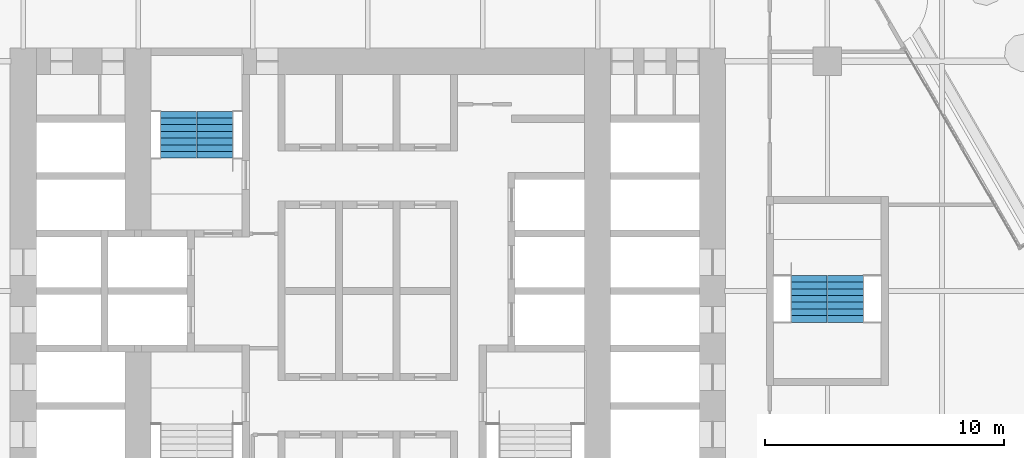
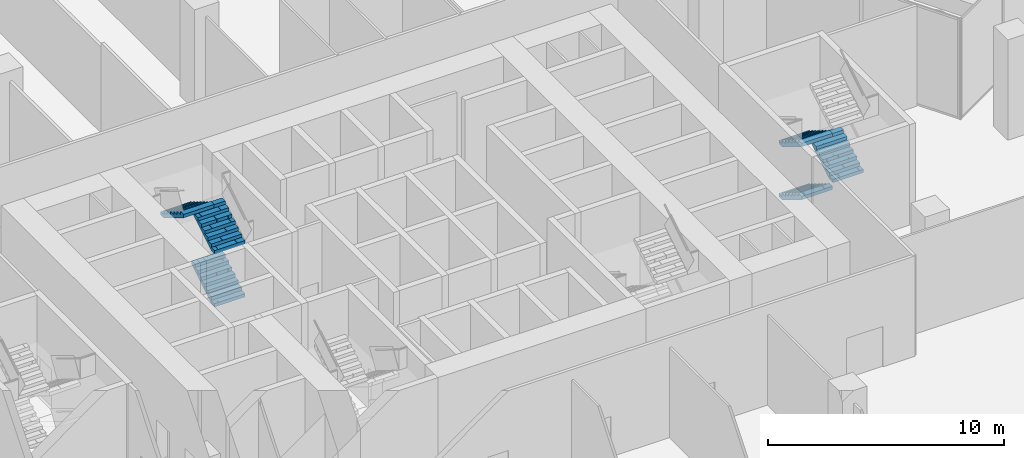
# One storey, part 28 of 32: 6 stair flights, 2 elements without a shape of their own.
"""IFC4 building model written with IfcOpenShell, lengths in metres."""

from ifc_helpers import new_model, si_unit, direction, frame, origin, place, context, subcontext, project, spatial, polyline, outline, extrude, material, type_object, element, aggregate, save


model = new_model("IFC4")

# Units and contexts
model_context = context("Model", 3, precision=1e-05, world=origin(), true_north=direction((0.0, 1.0)))
body_context = subcontext(model_context, "Body", "Model", "MODEL_VIEW")
ifc_project = project(units=[si_unit("LENGTHUNIT", "METRE"), si_unit("AREAUNIT", "SQUARE_METRE"), si_unit("VOLUMEUNIT", "CUBIC_METRE"), si_unit("PLANEANGLEUNIT", "RADIAN"), si_unit("MASSUNIT", "GRAM", prefix="KILO")], contexts=[model_context])

# Site, building, storey
site_placement = place(None, origin())
site = spatial("IfcSite", under=ifc_project, at=site_placement, CompositionType="ELEMENT")
building_placement = place(site_placement, origin())
building = spatial("IfcBuilding", under=site, at=building_placement, Name="Kolab Exchange Tower", CompositionType="ELEMENT")
storey_placement = place(building_placement, frame((0.0, 0.0, 60.89990234375)))
storey = spatial("IfcBuildingStorey", under=building, at=storey_placement, Name="L11", CompositionType="ELEMENT", Elevation=60.89990234375)

# Stair, stair flights
ifc_material = material(Name="Concrete C50/60", Category="concrete")
stair_type_1 = type_object("IfcStairType", Name="STAIR ST1 RISER 171.9", PredefinedType="DOUBLE_RETURN_STAIR", material=ifc_material)
stair_1_placement = place(storey_placement, origin())
stair_1 = element("IfcStair", 1, at=stair_1_placement, inside=storey, type_object=stair_type_1, Name="Stair 1", PredefinedType="DOUBLE_RETURN_STAIR")
stair_flight_type = type_object("IfcStairFlightType", Name="STAIR FLIGHT 1500 RISER 171.9", PredefinedType="STRAIGHT", material=ifc_material)
stair_flight_1_placement = place(storey_placement, frame((-6.389892578125, 5.550048828125, 0.0), z_axis=(0.0, 0.0, 1.0), x_axis=(0.0, 1.0, 0.0)))
stair_flight_1 = element("IfcStairFlight", 2, at=stair_flight_1_placement, type_object=stair_flight_type, Name="ST1 flight 1", NumberOfRisers=8, NumberOfTreads=7, PredefinedType="STRAIGHT", RiserHeight=0.171875, TreadLength=0.28, context=body_context, shape_type="SweptSolid", body=[
    extrude(outline(polyline([(0.0, 0.0), (0.0, 0.171875), (0.280029296875, 0.171875), (0.280029296875, 0.34375), (0.56005859375, 0.34375), (0.56005859375, 0.515625), (0.840087890625, 0.515625), (0.840087890625, 0.6875), (1.1201171875, 0.6875), (1.1201171875, 0.859375), (1.39990234375, 0.859375), (1.39990234375, 1.03125), (1.679931640625, 1.03125), (1.679931640625, 1.203125), (1.9599609375, 1.203125), (1.9599609375, 1.375), (1.9599609375, 1.02734375), (0.28662109375, 0.0), (0.0, 0.0)])), frame((0.0, 0.75, 0.0), z_axis=(0.0, -1.0, 0.0), x_axis=(1.0, 0.0, 0.0)), (0.0, 0.0, 1.0), 0.185791015625),
    extrude(outline(polyline([(0.0, 0.0), (0.0, 0.171875), (0.280029296875, 0.171875), (0.280029296875, 0.34375), (0.56005859375, 0.34375), (0.56005859375, 0.515625), (0.840087890625, 0.515625), (0.840087890625, 0.6875), (1.1201171875, 0.6875), (1.1201171875, 0.859375), (1.39990234375, 0.859375), (1.39990234375, 1.03125), (1.679931640625, 1.03125), (1.679931640625, 1.203125), (1.9599609375, 1.203125), (1.9599609375, 1.375), (1.9599609375, 1.02734375), (0.28662109375, 0.0), (0.0, 0.0)])), frame((0.0, 0.562255859375, 0.0), z_axis=(0.0, -1.0, 0.0), x_axis=(1.0, 0.0, 0.0)), (0.0, 0.0, 1.0), 0.185791015625),
    extrude(outline(polyline([(0.0, 0.0), (0.0, 0.171875), (0.280029296875, 0.171875), (0.280029296875, 0.34375), (0.56005859375, 0.34375), (0.56005859375, 0.515625), (0.840087890625, 0.515625), (0.840087890625, 0.6875), (1.1201171875, 0.6875), (1.1201171875, 0.859375), (1.39990234375, 0.859375), (1.39990234375, 1.03125), (1.679931640625, 1.03125), (1.679931640625, 1.203125), (1.9599609375, 1.203125), (1.9599609375, 1.375), (1.9599609375, 1.02734375), (0.28662109375, 0.0), (0.0, 0.0)])), frame((0.0, 0.37451171875, 0.0), z_axis=(0.0, -1.0, 0.0), x_axis=(1.0, 0.0, 0.0)), (0.0, 0.0, 1.0), 0.185791015625),
    extrude(outline(polyline([(0.0, 0.0), (0.0, 0.171875), (0.280029296875, 0.171875), (0.280029296875, 0.34375), (0.56005859375, 0.34375), (0.56005859375, 0.515625), (0.840087890625, 0.515625), (0.840087890625, 0.6875), (1.1201171875, 0.6875), (1.1201171875, 0.859375), (1.39990234375, 0.859375), (1.39990234375, 1.03125), (1.679931640625, 1.03125), (1.679931640625, 1.203125), (1.9599609375, 1.203125), (1.9599609375, 1.375), (1.9599609375, 1.02734375), (0.28662109375, 0.0), (0.0, 0.0)])), frame((0.0, 0.186767578125, 0.0), z_axis=(0.0, -1.0, 0.0), x_axis=(1.0, 0.0, 0.0)), (0.0, 0.0, 1.0), 0.185791015625),
    extrude(outline(polyline([(0.0, 0.0), (0.0, 0.171875), (0.280029296875, 0.171875), (0.280029296875, 0.34375), (0.56005859375, 0.34375), (0.56005859375, 0.515625), (0.840087890625, 0.515625), (0.840087890625, 0.6875), (1.1201171875, 0.6875), (1.1201171875, 0.859375), (1.39990234375, 0.859375), (1.39990234375, 1.03125), (1.679931640625, 1.03125), (1.679931640625, 1.203125), (1.9599609375, 1.203125), (1.9599609375, 1.375), (1.9599609375, 1.02734375), (0.28662109375, 0.0), (0.0, 0.0)])), frame((0.0, -0.0009765625, 0.0), z_axis=(0.0, -1.0, 0.0), x_axis=(1.0, 0.0, 0.0)), (0.0, 0.0, 1.0), 0.185791015625),
    extrude(outline(polyline([(0.0, 0.0), (0.0, 0.171875), (0.280029296875, 0.171875), (0.280029296875, 0.34375), (0.56005859375, 0.34375), (0.56005859375, 0.515625), (0.840087890625, 0.515625), (0.840087890625, 0.6875), (1.1201171875, 0.6875), (1.1201171875, 0.859375), (1.39990234375, 0.859375), (1.39990234375, 1.03125), (1.679931640625, 1.03125), (1.679931640625, 1.203125), (1.9599609375, 1.203125), (1.9599609375, 1.375), (1.9599609375, 1.02734375), (0.28662109375, 0.0), (0.0, 0.0)])), frame((0.0, -0.188720703125, 0.0), z_axis=(0.0, -1.0, 0.0), x_axis=(1.0, 0.0, 0.0)), (0.0, 0.0, 1.0), 0.185791015625),
    extrude(outline(polyline([(0.0, 0.0), (0.0, 0.171875), (0.280029296875, 0.171875), (0.280029296875, 0.34375), (0.56005859375, 0.34375), (0.56005859375, 0.515625), (0.840087890625, 0.515625), (0.840087890625, 0.6875), (1.1201171875, 0.6875), (1.1201171875, 0.859375), (1.39990234375, 0.859375), (1.39990234375, 1.03125), (1.679931640625, 1.03125), (1.679931640625, 1.203125), (1.9599609375, 1.203125), (1.9599609375, 1.375), (1.9599609375, 1.02734375), (0.28662109375, 0.0), (0.0, 0.0)])), frame((0.0, -0.37646484375, 0.0), z_axis=(0.0, -1.0, 0.0), x_axis=(1.0, 0.0, 0.0)), (0.0, 0.0, 1.0), 0.185791015625),
    extrude(outline(polyline([(0.0, 0.0), (0.0, 0.171875), (0.280029296875, 0.171875), (0.280029296875, 0.34375), (0.56005859375, 0.34375), (0.56005859375, 0.515625), (0.840087890625, 0.515625), (0.840087890625, 0.6875), (1.1201171875, 0.6875), (1.1201171875, 0.859375), (1.39990234375, 0.859375), (1.39990234375, 1.03125), (1.679931640625, 1.03125), (1.679931640625, 1.203125), (1.9599609375, 1.203125), (1.9599609375, 1.375), (1.9599609375, 1.02734375), (0.28662109375, 0.0), (0.0, 0.0)])), frame((0.0, -0.564208984375, 0.0), z_axis=(0.0, -1.0, 0.0), x_axis=(1.0, 0.0, 0.0)), (0.0, 0.0, 1.0), 0.185791015625),
])
stair_flight_2_placement = place(storey_placement, frame((-6.389892578125, 5.550048828125, 2.75), z_axis=(0.0, 0.0, 1.0), x_axis=(0.0, 1.0, 0.0)))
stair_flight_2 = element("IfcStairFlight", 3, at=stair_flight_2_placement, type_object=stair_flight_type, Name="ST1 flight 3", NumberOfRisers=8, NumberOfTreads=7, PredefinedType="STRAIGHT", RiserHeight=0.171875, TreadLength=0.28, context=body_context, shape_type="SweptSolid", body=[
    extrude(outline(polyline([(0.0, 0.0), (0.0, 0.171875), (0.280029296875, 0.171875), (0.280029296875, 0.34375), (0.56005859375, 0.34375), (0.56005859375, 0.515625), (0.840087890625, 0.515625), (0.840087890625, 0.6875), (1.1201171875, 0.6875), (1.1201171875, 0.859375), (1.39990234375, 0.859375), (1.39990234375, 1.03125), (1.679931640625, 1.03125), (1.679931640625, 1.203125), (1.9599609375, 1.203125), (1.9599609375, 1.375), (1.9599609375, 1.02734375), (0.28662109375, 0.0), (0.0, 0.0)])), frame((0.0, 0.75, 0.0), z_axis=(0.0, -1.0, 0.0), x_axis=(1.0, 0.0, 0.0)), (0.0, 0.0, 1.0), 0.185791015625),
    extrude(outline(polyline([(0.0, 0.0), (0.0, 0.171875), (0.280029296875, 0.171875), (0.280029296875, 0.34375), (0.56005859375, 0.34375), (0.56005859375, 0.515625), (0.840087890625, 0.515625), (0.840087890625, 0.6875), (1.1201171875, 0.6875), (1.1201171875, 0.859375), (1.39990234375, 0.859375), (1.39990234375, 1.03125), (1.679931640625, 1.03125), (1.679931640625, 1.203125), (1.9599609375, 1.203125), (1.9599609375, 1.375), (1.9599609375, 1.02734375), (0.28662109375, 0.0), (0.0, 0.0)])), frame((0.0, 0.562255859375, 0.0), z_axis=(0.0, -1.0, 0.0), x_axis=(1.0, 0.0, 0.0)), (0.0, 0.0, 1.0), 0.185791015625),
    extrude(outline(polyline([(0.0, 0.0), (0.0, 0.171875), (0.280029296875, 0.171875), (0.280029296875, 0.34375), (0.56005859375, 0.34375), (0.56005859375, 0.515625), (0.840087890625, 0.515625), (0.840087890625, 0.6875), (1.1201171875, 0.6875), (1.1201171875, 0.859375), (1.39990234375, 0.859375), (1.39990234375, 1.03125), (1.679931640625, 1.03125), (1.679931640625, 1.203125), (1.9599609375, 1.203125), (1.9599609375, 1.375), (1.9599609375, 1.02734375), (0.28662109375, 0.0), (0.0, 0.0)])), frame((0.0, 0.37451171875, 0.0), z_axis=(0.0, -1.0, 0.0), x_axis=(1.0, 0.0, 0.0)), (0.0, 0.0, 1.0), 0.185791015625),
    extrude(outline(polyline([(0.0, 0.0), (0.0, 0.171875), (0.280029296875, 0.171875), (0.280029296875, 0.34375), (0.56005859375, 0.34375), (0.56005859375, 0.515625), (0.840087890625, 0.515625), (0.840087890625, 0.6875), (1.1201171875, 0.6875), (1.1201171875, 0.859375), (1.39990234375, 0.859375), (1.39990234375, 1.03125), (1.679931640625, 1.03125), (1.679931640625, 1.203125), (1.9599609375, 1.203125), (1.9599609375, 1.375), (1.9599609375, 1.02734375), (0.28662109375, 0.0), (0.0, 0.0)])), frame((0.0, 0.186767578125, 0.0), z_axis=(0.0, -1.0, 0.0), x_axis=(1.0, 0.0, 0.0)), (0.0, 0.0, 1.0), 0.185791015625),
    extrude(outline(polyline([(0.0, 0.0), (0.0, 0.171875), (0.280029296875, 0.171875), (0.280029296875, 0.34375), (0.56005859375, 0.34375), (0.56005859375, 0.515625), (0.840087890625, 0.515625), (0.840087890625, 0.6875), (1.1201171875, 0.6875), (1.1201171875, 0.859375), (1.39990234375, 0.859375), (1.39990234375, 1.03125), (1.679931640625, 1.03125), (1.679931640625, 1.203125), (1.9599609375, 1.203125), (1.9599609375, 1.375), (1.9599609375, 1.02734375), (0.28662109375, 0.0), (0.0, 0.0)])), frame((0.0, -0.0009765625, 0.0), z_axis=(0.0, -1.0, 0.0), x_axis=(1.0, 0.0, 0.0)), (0.0, 0.0, 1.0), 0.185791015625),
    extrude(outline(polyline([(0.0, 0.0), (0.0, 0.171875), (0.280029296875, 0.171875), (0.280029296875, 0.34375), (0.56005859375, 0.34375), (0.56005859375, 0.515625), (0.840087890625, 0.515625), (0.840087890625, 0.6875), (1.1201171875, 0.6875), (1.1201171875, 0.859375), (1.39990234375, 0.859375), (1.39990234375, 1.03125), (1.679931640625, 1.03125), (1.679931640625, 1.203125), (1.9599609375, 1.203125), (1.9599609375, 1.375), (1.9599609375, 1.02734375), (0.28662109375, 0.0), (0.0, 0.0)])), frame((0.0, -0.188720703125, 0.0), z_axis=(0.0, -1.0, 0.0), x_axis=(1.0, 0.0, 0.0)), (0.0, 0.0, 1.0), 0.185791015625),
    extrude(outline(polyline([(0.0, 0.0), (0.0, 0.171875), (0.280029296875, 0.171875), (0.280029296875, 0.34375), (0.56005859375, 0.34375), (0.56005859375, 0.515625), (0.840087890625, 0.515625), (0.840087890625, 0.6875), (1.1201171875, 0.6875), (1.1201171875, 0.859375), (1.39990234375, 0.859375), (1.39990234375, 1.03125), (1.679931640625, 1.03125), (1.679931640625, 1.203125), (1.9599609375, 1.203125), (1.9599609375, 1.375), (1.9599609375, 1.02734375), (0.28662109375, 0.0), (0.0, 0.0)])), frame((0.0, -0.37646484375, 0.0), z_axis=(0.0, -1.0, 0.0), x_axis=(1.0, 0.0, 0.0)), (0.0, 0.0, 1.0), 0.185791015625),
    extrude(outline(polyline([(0.0, 0.0), (0.0, 0.171875), (0.280029296875, 0.171875), (0.280029296875, 0.34375), (0.56005859375, 0.34375), (0.56005859375, 0.515625), (0.840087890625, 0.515625), (0.840087890625, 0.6875), (1.1201171875, 0.6875), (1.1201171875, 0.859375), (1.39990234375, 0.859375), (1.39990234375, 1.03125), (1.679931640625, 1.03125), (1.679931640625, 1.203125), (1.9599609375, 1.203125), (1.9599609375, 1.375), (1.9599609375, 1.02734375), (0.28662109375, 0.0), (0.0, 0.0)])), frame((0.0, -0.564208984375, 0.0), z_axis=(0.0, -1.0, 0.0), x_axis=(1.0, 0.0, 0.0)), (0.0, 0.0, 1.0), 0.185791015625),
])
stair_flight_3_placement = place(storey_placement, frame((-7.909912109375, 7.510009765625, 4.125), z_axis=(0.0, 0.0, 1.0), x_axis=(0.0, -1.0, 0.0)))
stair_flight_3 = element("IfcStairFlight", 4, at=stair_flight_3_placement, type_object=stair_flight_type, Name="ST1 flight 4", NumberOfRisers=8, NumberOfTreads=7, PredefinedType="STRAIGHT", RiserHeight=0.171875, TreadLength=0.28, context=body_context, shape_type="SweptSolid", body=[
    extrude(outline(polyline([(0.0, 0.0), (0.0, 0.171875), (0.280029296875, 0.171875), (0.280029296875, 0.34375), (0.56005859375, 0.34375), (0.56005859375, 0.515625), (0.840087890625, 0.515625), (0.840087890625, 0.6875), (1.1201171875, 0.6875), (1.1201171875, 0.859375), (1.39990234375, 0.859375), (1.39990234375, 1.03125), (1.679931640625, 1.03125), (1.679931640625, 1.203125), (1.9599609375, 1.203125), (1.9599609375, 1.375), (1.9599609375, 1.02734375), (0.28662109375, 0.0), (0.0, 0.0)])), frame((0.0, 0.75, 0.0), z_axis=(0.0, -1.0, 0.0), x_axis=(1.0, 0.0, 0.0)), (0.0, 0.0, 1.0), 0.185791015625),
    extrude(outline(polyline([(0.0, 0.0), (0.0, 0.171875), (0.280029296875, 0.171875), (0.280029296875, 0.34375), (0.56005859375, 0.34375), (0.56005859375, 0.515625), (0.840087890625, 0.515625), (0.840087890625, 0.6875), (1.1201171875, 0.6875), (1.1201171875, 0.859375), (1.39990234375, 0.859375), (1.39990234375, 1.03125), (1.679931640625, 1.03125), (1.679931640625, 1.203125), (1.9599609375, 1.203125), (1.9599609375, 1.375), (1.9599609375, 1.02734375), (0.28662109375, 0.0), (0.0, 0.0)])), frame((0.0, 0.562255859375, 0.0), z_axis=(0.0, -1.0, 0.0), x_axis=(1.0, 0.0, 0.0)), (0.0, 0.0, 1.0), 0.185791015625),
    extrude(outline(polyline([(0.0, 0.0), (0.0, 0.171875), (0.280029296875, 0.171875), (0.280029296875, 0.34375), (0.56005859375, 0.34375), (0.56005859375, 0.515625), (0.840087890625, 0.515625), (0.840087890625, 0.6875), (1.1201171875, 0.6875), (1.1201171875, 0.859375), (1.39990234375, 0.859375), (1.39990234375, 1.03125), (1.679931640625, 1.03125), (1.679931640625, 1.203125), (1.9599609375, 1.203125), (1.9599609375, 1.375), (1.9599609375, 1.02734375), (0.28662109375, 0.0), (0.0, 0.0)])), frame((0.0, 0.37451171875, 0.0), z_axis=(0.0, -1.0, 0.0), x_axis=(1.0, 0.0, 0.0)), (0.0, 0.0, 1.0), 0.185791015625),
    extrude(outline(polyline([(0.0, 0.0), (0.0, 0.171875), (0.280029296875, 0.171875), (0.280029296875, 0.34375), (0.56005859375, 0.34375), (0.56005859375, 0.515625), (0.840087890625, 0.515625), (0.840087890625, 0.6875), (1.1201171875, 0.6875), (1.1201171875, 0.859375), (1.39990234375, 0.859375), (1.39990234375, 1.03125), (1.679931640625, 1.03125), (1.679931640625, 1.203125), (1.9599609375, 1.203125), (1.9599609375, 1.375), (1.9599609375, 1.02734375), (0.28662109375, 0.0), (0.0, 0.0)])), frame((0.0, 0.186767578125, 0.0), z_axis=(0.0, -1.0, 0.0), x_axis=(1.0, 0.0, 0.0)), (0.0, 0.0, 1.0), 0.185791015625),
    extrude(outline(polyline([(0.0, 0.0), (0.0, 0.171875), (0.280029296875, 0.171875), (0.280029296875, 0.34375), (0.56005859375, 0.34375), (0.56005859375, 0.515625), (0.840087890625, 0.515625), (0.840087890625, 0.6875), (1.1201171875, 0.6875), (1.1201171875, 0.859375), (1.39990234375, 0.859375), (1.39990234375, 1.03125), (1.679931640625, 1.03125), (1.679931640625, 1.203125), (1.9599609375, 1.203125), (1.9599609375, 1.375), (1.9599609375, 1.02734375), (0.28662109375, 0.0), (0.0, 0.0)])), frame((0.0, -0.0009765625, 0.0), z_axis=(0.0, -1.0, 0.0), x_axis=(1.0, 0.0, 0.0)), (0.0, 0.0, 1.0), 0.185791015625),
    extrude(outline(polyline([(0.0, 0.0), (0.0, 0.171875), (0.280029296875, 0.171875), (0.280029296875, 0.34375), (0.56005859375, 0.34375), (0.56005859375, 0.515625), (0.840087890625, 0.515625), (0.840087890625, 0.6875), (1.1201171875, 0.6875), (1.1201171875, 0.859375), (1.39990234375, 0.859375), (1.39990234375, 1.03125), (1.679931640625, 1.03125), (1.679931640625, 1.203125), (1.9599609375, 1.203125), (1.9599609375, 1.375), (1.9599609375, 1.02734375), (0.28662109375, 0.0), (0.0, 0.0)])), frame((0.0, -0.188720703125, 0.0), z_axis=(0.0, -1.0, 0.0), x_axis=(1.0, 0.0, 0.0)), (0.0, 0.0, 1.0), 0.185791015625),
    extrude(outline(polyline([(0.0, 0.0), (0.0, 0.171875), (0.280029296875, 0.171875), (0.280029296875, 0.34375), (0.56005859375, 0.34375), (0.56005859375, 0.515625), (0.840087890625, 0.515625), (0.840087890625, 0.6875), (1.1201171875, 0.6875), (1.1201171875, 0.859375), (1.39990234375, 0.859375), (1.39990234375, 1.03125), (1.679931640625, 1.03125), (1.679931640625, 1.203125), (1.9599609375, 1.203125), (1.9599609375, 1.375), (1.9599609375, 1.02734375), (0.28662109375, 0.0), (0.0, 0.0)])), frame((0.0, -0.37646484375, 0.0), z_axis=(0.0, -1.0, 0.0), x_axis=(1.0, 0.0, 0.0)), (0.0, 0.0, 1.0), 0.185791015625),
    extrude(outline(polyline([(0.0, 0.0), (0.0, 0.171875), (0.280029296875, 0.171875), (0.280029296875, 0.34375), (0.56005859375, 0.34375), (0.56005859375, 0.515625), (0.840087890625, 0.515625), (0.840087890625, 0.6875), (1.1201171875, 0.6875), (1.1201171875, 0.859375), (1.39990234375, 0.859375), (1.39990234375, 1.03125), (1.679931640625, 1.03125), (1.679931640625, 1.203125), (1.9599609375, 1.203125), (1.9599609375, 1.375), (1.9599609375, 1.02734375), (0.28662109375, 0.0), (0.0, 0.0)])), frame((0.0, -0.564208984375, 0.0), z_axis=(0.0, -1.0, 0.0), x_axis=(1.0, 0.0, 0.0)), (0.0, 0.0, 1.0), 0.185791015625),
])
aggregate(stair_1, [stair_flight_1, stair_flight_2, stair_flight_3])

stair_type_2 = type_object("IfcStairType", Name="STAIR ST4 RISER 171.9", PredefinedType="DOUBLE_RETURN_STAIR", material=ifc_material)
stair_2_placement = place(storey_placement, origin())
stair_2 = element("IfcStair", 5, at=stair_2_placement, inside=storey, type_object=stair_type_2, Name="Stair 4", PredefinedType="DOUBLE_RETURN_STAIR")
stair_flight_4_placement = place(storey_placement, frame((18.43994140625, 0.64990234375, 0.0), z_axis=(0.0, 0.0, 1.0), x_axis=(0.0, -1.0, 0.0)))
stair_flight_4 = element("IfcStairFlight", 6, at=stair_flight_4_placement, type_object=stair_flight_type, Name="ST4 flight 1", NumberOfRisers=8, NumberOfTreads=7, PredefinedType="STRAIGHT", RiserHeight=0.171875, TreadLength=0.28, context=body_context, shape_type="SweptSolid", body=[
    extrude(outline(polyline([(0.0, 0.0), (0.0, 0.171875), (0.280029296875, 0.171875), (0.280029296875, 0.34375), (0.56005859375, 0.34375), (0.56005859375, 0.515625), (0.840087890625, 0.515625), (0.840087890625, 0.6875), (1.1201171875, 0.6875), (1.1201171875, 0.859375), (1.39990234375, 0.859375), (1.39990234375, 1.03125), (1.679931640625, 1.03125), (1.679931640625, 1.203125), (1.9599609375, 1.203125), (1.9599609375, 1.375), (1.9599609375, 1.02734375), (0.28662109375, 0.0), (0.0, 0.0)])), frame((0.0, 0.75, 0.0), z_axis=(0.0, -1.0, 0.0), x_axis=(1.0, 0.0, 0.0)), (0.0, 0.0, 1.0), 0.185791015625),
    extrude(outline(polyline([(0.0, 0.0), (0.0, 0.171875), (0.280029296875, 0.171875), (0.280029296875, 0.34375), (0.56005859375, 0.34375), (0.56005859375, 0.515625), (0.840087890625, 0.515625), (0.840087890625, 0.6875), (1.1201171875, 0.6875), (1.1201171875, 0.859375), (1.39990234375, 0.859375), (1.39990234375, 1.03125), (1.679931640625, 1.03125), (1.679931640625, 1.203125), (1.9599609375, 1.203125), (1.9599609375, 1.375), (1.9599609375, 1.02734375), (0.28662109375, 0.0), (0.0, 0.0)])), frame((0.0, 0.562255859375, 0.0), z_axis=(0.0, -1.0, 0.0), x_axis=(1.0, 0.0, 0.0)), (0.0, 0.0, 1.0), 0.185791015625),
    extrude(outline(polyline([(0.0, 0.0), (0.0, 0.171875), (0.280029296875, 0.171875), (0.280029296875, 0.34375), (0.56005859375, 0.34375), (0.56005859375, 0.515625), (0.840087890625, 0.515625), (0.840087890625, 0.6875), (1.1201171875, 0.6875), (1.1201171875, 0.859375), (1.39990234375, 0.859375), (1.39990234375, 1.03125), (1.679931640625, 1.03125), (1.679931640625, 1.203125), (1.9599609375, 1.203125), (1.9599609375, 1.375), (1.9599609375, 1.02734375), (0.28662109375, 0.0), (0.0, 0.0)])), frame((0.0, 0.37451171875, 0.0), z_axis=(0.0, -1.0, 0.0), x_axis=(1.0, 0.0, 0.0)), (0.0, 0.0, 1.0), 0.185791015625),
    extrude(outline(polyline([(0.0, 0.0), (0.0, 0.171875), (0.280029296875, 0.171875), (0.280029296875, 0.34375), (0.56005859375, 0.34375), (0.56005859375, 0.515625), (0.840087890625, 0.515625), (0.840087890625, 0.6875), (1.1201171875, 0.6875), (1.1201171875, 0.859375), (1.39990234375, 0.859375), (1.39990234375, 1.03125), (1.679931640625, 1.03125), (1.679931640625, 1.203125), (1.9599609375, 1.203125), (1.9599609375, 1.375), (1.9599609375, 1.02734375), (0.28662109375, 0.0), (0.0, 0.0)])), frame((0.0, 0.186767578125, 0.0), z_axis=(0.0, -1.0, 0.0), x_axis=(1.0, 0.0, 0.0)), (0.0, 0.0, 1.0), 0.185791015625),
    extrude(outline(polyline([(0.0, 0.0), (0.0, 0.171875), (0.280029296875, 0.171875), (0.280029296875, 0.34375), (0.56005859375, 0.34375), (0.56005859375, 0.515625), (0.840087890625, 0.515625), (0.840087890625, 0.6875), (1.1201171875, 0.6875), (1.1201171875, 0.859375), (1.39990234375, 0.859375), (1.39990234375, 1.03125), (1.679931640625, 1.03125), (1.679931640625, 1.203125), (1.9599609375, 1.203125), (1.9599609375, 1.375), (1.9599609375, 1.02734375), (0.28662109375, 0.0), (0.0, 0.0)])), frame((0.0, -0.0009765625, 0.0), z_axis=(0.0, -1.0, 0.0), x_axis=(1.0, 0.0, 0.0)), (0.0, 0.0, 1.0), 0.185791015625),
    extrude(outline(polyline([(0.0, 0.0), (0.0, 0.171875), (0.280029296875, 0.171875), (0.280029296875, 0.34375), (0.56005859375, 0.34375), (0.56005859375, 0.515625), (0.840087890625, 0.515625), (0.840087890625, 0.6875), (1.1201171875, 0.6875), (1.1201171875, 0.859375), (1.39990234375, 0.859375), (1.39990234375, 1.03125), (1.679931640625, 1.03125), (1.679931640625, 1.203125), (1.9599609375, 1.203125), (1.9599609375, 1.375), (1.9599609375, 1.02734375), (0.28662109375, 0.0), (0.0, 0.0)])), frame((0.0, -0.188720703125, 0.0), z_axis=(0.0, -1.0, 0.0), x_axis=(1.0, 0.0, 0.0)), (0.0, 0.0, 1.0), 0.185791015625),
    extrude(outline(polyline([(0.0, 0.0), (0.0, 0.171875), (0.280029296875, 0.171875), (0.280029296875, 0.34375), (0.56005859375, 0.34375), (0.56005859375, 0.515625), (0.840087890625, 0.515625), (0.840087890625, 0.6875), (1.1201171875, 0.6875), (1.1201171875, 0.859375), (1.39990234375, 0.859375), (1.39990234375, 1.03125), (1.679931640625, 1.03125), (1.679931640625, 1.203125), (1.9599609375, 1.203125), (1.9599609375, 1.375), (1.9599609375, 1.02734375), (0.28662109375, 0.0), (0.0, 0.0)])), frame((0.0, -0.37646484375, 0.0), z_axis=(0.0, -1.0, 0.0), x_axis=(1.0, 0.0, 0.0)), (0.0, 0.0, 1.0), 0.185791015625),
    extrude(outline(polyline([(0.0, 0.0), (0.0, 0.171875), (0.280029296875, 0.171875), (0.280029296875, 0.34375), (0.56005859375, 0.34375), (0.56005859375, 0.515625), (0.840087890625, 0.515625), (0.840087890625, 0.6875), (1.1201171875, 0.6875), (1.1201171875, 0.859375), (1.39990234375, 0.859375), (1.39990234375, 1.03125), (1.679931640625, 1.03125), (1.679931640625, 1.203125), (1.9599609375, 1.203125), (1.9599609375, 1.375), (1.9599609375, 1.02734375), (0.28662109375, 0.0), (0.0, 0.0)])), frame((0.0, -0.564208984375, 0.0), z_axis=(0.0, -1.0, 0.0), x_axis=(1.0, 0.0, 0.0)), (0.0, 0.0, 1.0), 0.185791015625),
])
stair_flight_5_placement = place(storey_placement, frame((19.9599609375, -1.31005859375, 1.375), z_axis=(0.0, 0.0, 1.0), x_axis=(0.0, 1.0, 0.0)))
stair_flight_5 = element("IfcStairFlight", 7, at=stair_flight_5_placement, type_object=stair_flight_type, Name="ST4 flight 2", NumberOfRisers=8, NumberOfTreads=7, PredefinedType="STRAIGHT", RiserHeight=0.171875, TreadLength=0.28, context=body_context, shape_type="SweptSolid", body=[
    extrude(outline(polyline([(0.0, 0.0), (0.0, 0.171875), (0.280029296875, 0.171875), (0.280029296875, 0.34375), (0.56005859375, 0.34375), (0.56005859375, 0.515625), (0.840087890625, 0.515625), (0.840087890625, 0.6875), (1.1201171875, 0.6875), (1.1201171875, 0.859375), (1.39990234375, 0.859375), (1.39990234375, 1.03125), (1.679931640625, 1.03125), (1.679931640625, 1.203125), (1.9599609375, 1.203125), (1.9599609375, 1.375), (1.9599609375, 1.02734375), (0.28662109375, 0.0), (0.0, 0.0)])), frame((0.0, 0.75, 0.0), z_axis=(0.0, -1.0, 0.0), x_axis=(1.0, 0.0, 0.0)), (0.0, 0.0, 1.0), 0.185791015625),
    extrude(outline(polyline([(0.0, 0.0), (0.0, 0.171875), (0.280029296875, 0.171875), (0.280029296875, 0.34375), (0.56005859375, 0.34375), (0.56005859375, 0.515625), (0.840087890625, 0.515625), (0.840087890625, 0.6875), (1.1201171875, 0.6875), (1.1201171875, 0.859375), (1.39990234375, 0.859375), (1.39990234375, 1.03125), (1.679931640625, 1.03125), (1.679931640625, 1.203125), (1.9599609375, 1.203125), (1.9599609375, 1.375), (1.9599609375, 1.02734375), (0.28662109375, 0.0), (0.0, 0.0)])), frame((0.0, 0.562255859375, 0.0), z_axis=(0.0, -1.0, 0.0), x_axis=(1.0, 0.0, 0.0)), (0.0, 0.0, 1.0), 0.185791015625),
    extrude(outline(polyline([(0.0, 0.0), (0.0, 0.171875), (0.280029296875, 0.171875), (0.280029296875, 0.34375), (0.56005859375, 0.34375), (0.56005859375, 0.515625), (0.840087890625, 0.515625), (0.840087890625, 0.6875), (1.1201171875, 0.6875), (1.1201171875, 0.859375), (1.39990234375, 0.859375), (1.39990234375, 1.03125), (1.679931640625, 1.03125), (1.679931640625, 1.203125), (1.9599609375, 1.203125), (1.9599609375, 1.375), (1.9599609375, 1.02734375), (0.28662109375, 0.0), (0.0, 0.0)])), frame((0.0, 0.37451171875, 0.0), z_axis=(0.0, -1.0, 0.0), x_axis=(1.0, 0.0, 0.0)), (0.0, 0.0, 1.0), 0.185791015625),
    extrude(outline(polyline([(0.0, 0.0), (0.0, 0.171875), (0.280029296875, 0.171875), (0.280029296875, 0.34375), (0.56005859375, 0.34375), (0.56005859375, 0.515625), (0.840087890625, 0.515625), (0.840087890625, 0.6875), (1.1201171875, 0.6875), (1.1201171875, 0.859375), (1.39990234375, 0.859375), (1.39990234375, 1.03125), (1.679931640625, 1.03125), (1.679931640625, 1.203125), (1.9599609375, 1.203125), (1.9599609375, 1.375), (1.9599609375, 1.02734375), (0.28662109375, 0.0), (0.0, 0.0)])), frame((0.0, 0.186767578125, 0.0), z_axis=(0.0, -1.0, 0.0), x_axis=(1.0, 0.0, 0.0)), (0.0, 0.0, 1.0), 0.185791015625),
    extrude(outline(polyline([(0.0, 0.0), (0.0, 0.171875), (0.280029296875, 0.171875), (0.280029296875, 0.34375), (0.56005859375, 0.34375), (0.56005859375, 0.515625), (0.840087890625, 0.515625), (0.840087890625, 0.6875), (1.1201171875, 0.6875), (1.1201171875, 0.859375), (1.39990234375, 0.859375), (1.39990234375, 1.03125), (1.679931640625, 1.03125), (1.679931640625, 1.203125), (1.9599609375, 1.203125), (1.9599609375, 1.375), (1.9599609375, 1.02734375), (0.28662109375, 0.0), (0.0, 0.0)])), frame((0.0, -0.0009765625, 0.0), z_axis=(0.0, -1.0, 0.0), x_axis=(1.0, 0.0, 0.0)), (0.0, 0.0, 1.0), 0.185791015625),
    extrude(outline(polyline([(0.0, 0.0), (0.0, 0.171875), (0.280029296875, 0.171875), (0.280029296875, 0.34375), (0.56005859375, 0.34375), (0.56005859375, 0.515625), (0.840087890625, 0.515625), (0.840087890625, 0.6875), (1.1201171875, 0.6875), (1.1201171875, 0.859375), (1.39990234375, 0.859375), (1.39990234375, 1.03125), (1.679931640625, 1.03125), (1.679931640625, 1.203125), (1.9599609375, 1.203125), (1.9599609375, 1.375), (1.9599609375, 1.02734375), (0.28662109375, 0.0), (0.0, 0.0)])), frame((0.0, -0.188720703125, 0.0), z_axis=(0.0, -1.0, 0.0), x_axis=(1.0, 0.0, 0.0)), (0.0, 0.0, 1.0), 0.185791015625),
    extrude(outline(polyline([(0.0, 0.0), (0.0, 0.171875), (0.280029296875, 0.171875), (0.280029296875, 0.34375), (0.56005859375, 0.34375), (0.56005859375, 0.515625), (0.840087890625, 0.515625), (0.840087890625, 0.6875), (1.1201171875, 0.6875), (1.1201171875, 0.859375), (1.39990234375, 0.859375), (1.39990234375, 1.03125), (1.679931640625, 1.03125), (1.679931640625, 1.203125), (1.9599609375, 1.203125), (1.9599609375, 1.375), (1.9599609375, 1.02734375), (0.28662109375, 0.0), (0.0, 0.0)])), frame((0.0, -0.37646484375, 0.0), z_axis=(0.0, -1.0, 0.0), x_axis=(1.0, 0.0, 0.0)), (0.0, 0.0, 1.0), 0.185791015625),
    extrude(outline(polyline([(0.0, 0.0), (0.0, 0.171875), (0.280029296875, 0.171875), (0.280029296875, 0.34375), (0.56005859375, 0.34375), (0.56005859375, 0.515625), (0.840087890625, 0.515625), (0.840087890625, 0.6875), (1.1201171875, 0.6875), (1.1201171875, 0.859375), (1.39990234375, 0.859375), (1.39990234375, 1.03125), (1.679931640625, 1.03125), (1.679931640625, 1.203125), (1.9599609375, 1.203125), (1.9599609375, 1.375), (1.9599609375, 1.02734375), (0.28662109375, 0.0), (0.0, 0.0)])), frame((0.0, -0.564208984375, 0.0), z_axis=(0.0, -1.0, 0.0), x_axis=(1.0, 0.0, 0.0)), (0.0, 0.0, 1.0), 0.185791015625),
])
stair_flight_6_placement = place(storey_placement, frame((18.43994140625, 0.64990234375, 2.75), z_axis=(0.0, 0.0, 1.0), x_axis=(0.0, -1.0, 0.0)))
stair_flight_6 = element("IfcStairFlight", 8, at=stair_flight_6_placement, type_object=stair_flight_type, Name="ST4 flight 3", NumberOfRisers=8, NumberOfTreads=7, PredefinedType="STRAIGHT", RiserHeight=0.171875, TreadLength=0.28, context=body_context, shape_type="SweptSolid", body=[
    extrude(outline(polyline([(0.0, 0.0), (0.0, 0.171875), (0.280029296875, 0.171875), (0.280029296875, 0.34375), (0.56005859375, 0.34375), (0.56005859375, 0.515625), (0.840087890625, 0.515625), (0.840087890625, 0.6875), (1.1201171875, 0.6875), (1.1201171875, 0.859375), (1.39990234375, 0.859375), (1.39990234375, 1.03125), (1.679931640625, 1.03125), (1.679931640625, 1.203125), (1.9599609375, 1.203125), (1.9599609375, 1.375), (1.9599609375, 1.02734375), (0.28662109375, 0.0), (0.0, 0.0)])), frame((0.0, 0.75, 0.0), z_axis=(0.0, -1.0, 0.0), x_axis=(1.0, 0.0, 0.0)), (0.0, 0.0, 1.0), 0.185791015625),
    extrude(outline(polyline([(0.0, 0.0), (0.0, 0.171875), (0.280029296875, 0.171875), (0.280029296875, 0.34375), (0.56005859375, 0.34375), (0.56005859375, 0.515625), (0.840087890625, 0.515625), (0.840087890625, 0.6875), (1.1201171875, 0.6875), (1.1201171875, 0.859375), (1.39990234375, 0.859375), (1.39990234375, 1.03125), (1.679931640625, 1.03125), (1.679931640625, 1.203125), (1.9599609375, 1.203125), (1.9599609375, 1.375), (1.9599609375, 1.02734375), (0.28662109375, 0.0), (0.0, 0.0)])), frame((0.0, 0.562255859375, 0.0), z_axis=(0.0, -1.0, 0.0), x_axis=(1.0, 0.0, 0.0)), (0.0, 0.0, 1.0), 0.185791015625),
    extrude(outline(polyline([(0.0, 0.0), (0.0, 0.171875), (0.280029296875, 0.171875), (0.280029296875, 0.34375), (0.56005859375, 0.34375), (0.56005859375, 0.515625), (0.840087890625, 0.515625), (0.840087890625, 0.6875), (1.1201171875, 0.6875), (1.1201171875, 0.859375), (1.39990234375, 0.859375), (1.39990234375, 1.03125), (1.679931640625, 1.03125), (1.679931640625, 1.203125), (1.9599609375, 1.203125), (1.9599609375, 1.375), (1.9599609375, 1.02734375), (0.28662109375, 0.0), (0.0, 0.0)])), frame((0.0, 0.37451171875, 0.0), z_axis=(0.0, -1.0, 0.0), x_axis=(1.0, 0.0, 0.0)), (0.0, 0.0, 1.0), 0.185791015625),
    extrude(outline(polyline([(0.0, 0.0), (0.0, 0.171875), (0.280029296875, 0.171875), (0.280029296875, 0.34375), (0.56005859375, 0.34375), (0.56005859375, 0.515625), (0.840087890625, 0.515625), (0.840087890625, 0.6875), (1.1201171875, 0.6875), (1.1201171875, 0.859375), (1.39990234375, 0.859375), (1.39990234375, 1.03125), (1.679931640625, 1.03125), (1.679931640625, 1.203125), (1.9599609375, 1.203125), (1.9599609375, 1.375), (1.9599609375, 1.02734375), (0.28662109375, 0.0), (0.0, 0.0)])), frame((0.0, 0.186767578125, 0.0), z_axis=(0.0, -1.0, 0.0), x_axis=(1.0, 0.0, 0.0)), (0.0, 0.0, 1.0), 0.185791015625),
    extrude(outline(polyline([(0.0, 0.0), (0.0, 0.171875), (0.280029296875, 0.171875), (0.280029296875, 0.34375), (0.56005859375, 0.34375), (0.56005859375, 0.515625), (0.840087890625, 0.515625), (0.840087890625, 0.6875), (1.1201171875, 0.6875), (1.1201171875, 0.859375), (1.39990234375, 0.859375), (1.39990234375, 1.03125), (1.679931640625, 1.03125), (1.679931640625, 1.203125), (1.9599609375, 1.203125), (1.9599609375, 1.375), (1.9599609375, 1.02734375), (0.28662109375, 0.0), (0.0, 0.0)])), frame((0.0, -0.0009765625, 0.0), z_axis=(0.0, -1.0, 0.0), x_axis=(1.0, 0.0, 0.0)), (0.0, 0.0, 1.0), 0.185791015625),
    extrude(outline(polyline([(0.0, 0.0), (0.0, 0.171875), (0.280029296875, 0.171875), (0.280029296875, 0.34375), (0.56005859375, 0.34375), (0.56005859375, 0.515625), (0.840087890625, 0.515625), (0.840087890625, 0.6875), (1.1201171875, 0.6875), (1.1201171875, 0.859375), (1.39990234375, 0.859375), (1.39990234375, 1.03125), (1.679931640625, 1.03125), (1.679931640625, 1.203125), (1.9599609375, 1.203125), (1.9599609375, 1.375), (1.9599609375, 1.02734375), (0.28662109375, 0.0), (0.0, 0.0)])), frame((0.0, -0.188720703125, 0.0), z_axis=(0.0, -1.0, 0.0), x_axis=(1.0, 0.0, 0.0)), (0.0, 0.0, 1.0), 0.185791015625),
    extrude(outline(polyline([(0.0, 0.0), (0.0, 0.171875), (0.280029296875, 0.171875), (0.280029296875, 0.34375), (0.56005859375, 0.34375), (0.56005859375, 0.515625), (0.840087890625, 0.515625), (0.840087890625, 0.6875), (1.1201171875, 0.6875), (1.1201171875, 0.859375), (1.39990234375, 0.859375), (1.39990234375, 1.03125), (1.679931640625, 1.03125), (1.679931640625, 1.203125), (1.9599609375, 1.203125), (1.9599609375, 1.375), (1.9599609375, 1.02734375), (0.28662109375, 0.0), (0.0, 0.0)])), frame((0.0, -0.37646484375, 0.0), z_axis=(0.0, -1.0, 0.0), x_axis=(1.0, 0.0, 0.0)), (0.0, 0.0, 1.0), 0.185791015625),
    extrude(outline(polyline([(0.0, 0.0), (0.0, 0.171875), (0.280029296875, 0.171875), (0.280029296875, 0.34375), (0.56005859375, 0.34375), (0.56005859375, 0.515625), (0.840087890625, 0.515625), (0.840087890625, 0.6875), (1.1201171875, 0.6875), (1.1201171875, 0.859375), (1.39990234375, 0.859375), (1.39990234375, 1.03125), (1.679931640625, 1.03125), (1.679931640625, 1.203125), (1.9599609375, 1.203125), (1.9599609375, 1.375), (1.9599609375, 1.02734375), (0.28662109375, 0.0), (0.0, 0.0)])), frame((0.0, -0.564208984375, 0.0), z_axis=(0.0, -1.0, 0.0), x_axis=(1.0, 0.0, 0.0)), (0.0, 0.0, 1.0), 0.185791015625),
])
aggregate(stair_2, [stair_flight_4, stair_flight_5, stair_flight_6])

save(model, "model.ifc")
